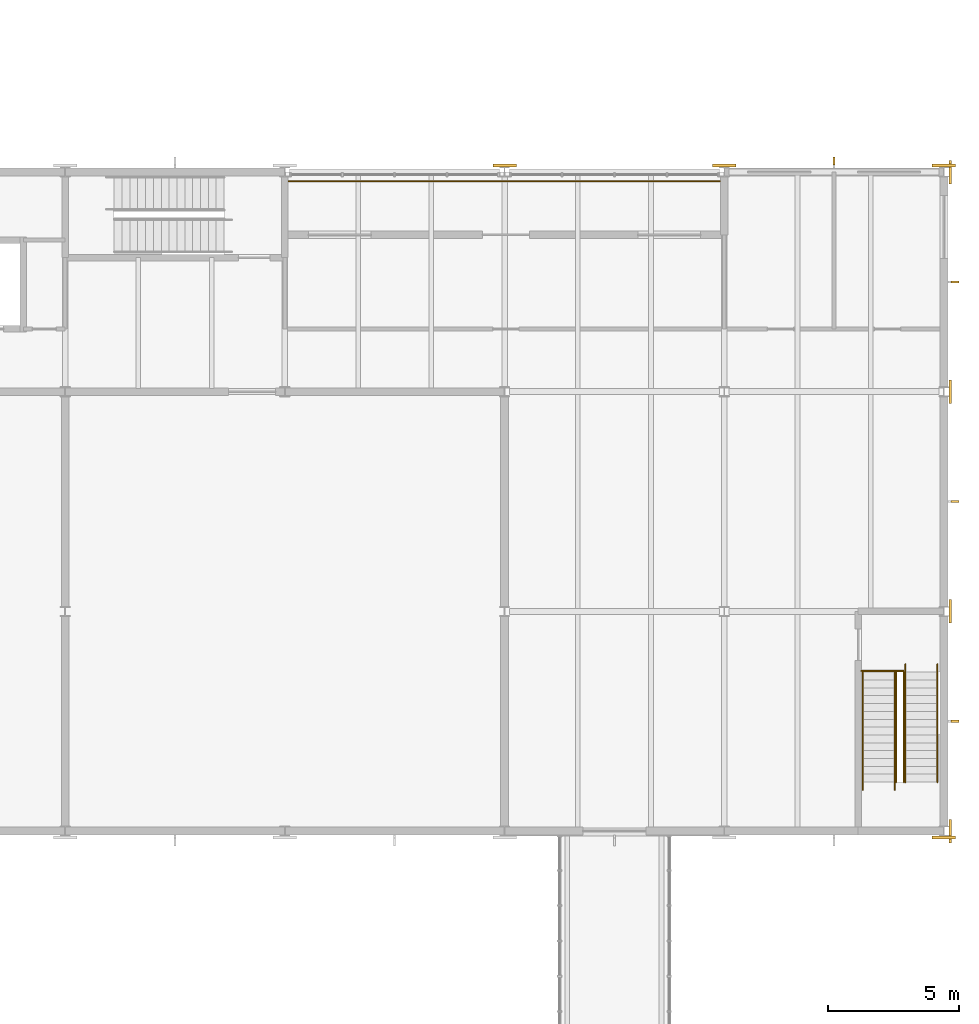
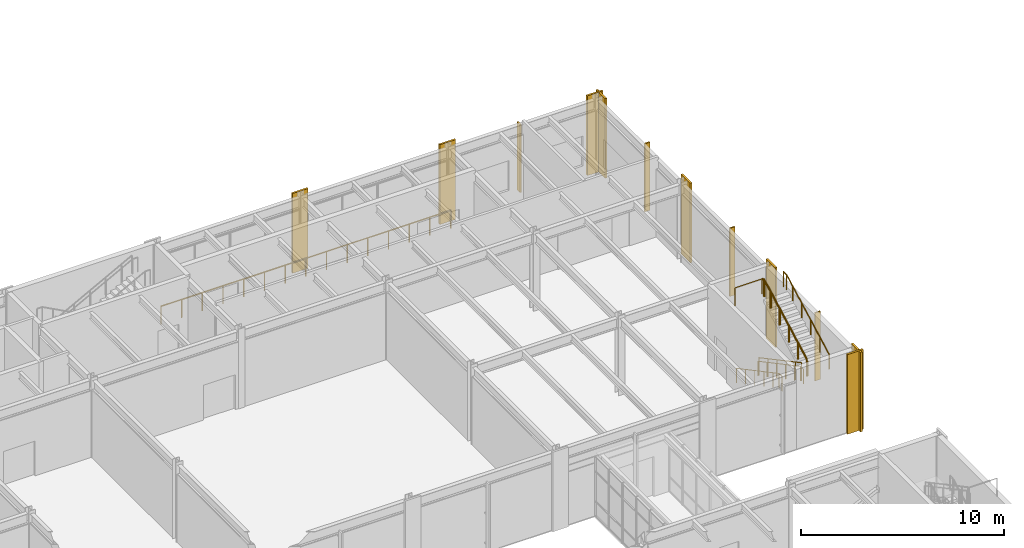
# One storey, part 126 of 127: 8 coverings, 8 railings, 4 shading devices.
"""IFC4 building model written with IfcOpenShell, lengths in metres."""

import ifcopenshell
import ifcopenshell.guid

model = None  # the IFC model being written
_history = None  # IfcOwnerHistory: only IFC2X3 demands one
_inside = {}  # id of a spatial element -> (the spatial element, [elements in it])
_under = {}  # id of a project, library or spatial element -> (it, [spatial elements below it])
_declared = {}  # id of a project -> (the project, [libraries it declares])
_typed = {}  # id of a type object -> (the type object, [elements of that type])
_made_of = {}  # id of a material, layer set ... -> (it, [elements and type objects made of it])


def new_model(schema):
    """Start an empty IFC model of exactly this schema.

    Asked for "IFC4X3", IfcOpenShell would pick the latest addendum, in which some entities
    have other attributes; the version numbers below select the first issue.
    IFC2X3 requires an IfcOwnerHistory on every rooted entity: one is made here for all.
    """
    global model, _history
    if schema == "IFC4X3":
        model = ifcopenshell.file(schema_version=(4, 3, 0, 0))
    else:
        model = ifcopenshell.file(schema=schema)
    _inside.clear()
    _under.clear()
    _declared.clear()
    _typed.clear()
    _made_of.clear()
    _history = None
    if model.schema == "IFC2X3":
        org = make("IfcOrganization", Name="unknown")
        user = make(
            "IfcPersonAndOrganization",
            ThePerson=make("IfcPerson", FamilyName="unknown"),
            TheOrganization=org,
        )
        app = make(
            "IfcApplication",
            ApplicationDeveloper=org,
            Version="unknown",
            ApplicationFullName="unknown",
            ApplicationIdentifier="unknown",
        )
        _history = make(
            "IfcOwnerHistory",
            OwningUser=user,
            OwningApplication=app,
            ChangeAction="ADDED",
            CreationDate=0,
        )
    return model


def make(cls, **values):
    """One entity of the class cls with the attributes given. An attribute that is None is left unset."""
    return model.create_entity(
        cls, **{name: value for name, value in values.items() if value is not None}
    )


def rooted(cls, **values):
    """An entity with a GlobalId (a new one), such as an element, a storey or a relation."""
    return make(cls, GlobalId=ifcopenshell.guid.new(), OwnerHistory=_history, **values)


def si_unit(unit_type, name, prefix=None):
    """IfcSIUnit, for example si_unit("LENGTHUNIT", "METRE", prefix="MILLI")."""
    return make("IfcSIUnit", UnitType=unit_type, Prefix=prefix, Name=name)


def assignment(units):
    """IfcUnitAssignment: the units of a project."""
    return None if units is None else make("IfcUnitAssignment", Units=units)


def point(xyz):
    """IfcCartesianPoint."""
    return None if xyz is None else make("IfcCartesianPoint", Coordinates=xyz)


def direction(xyz):
    """IfcDirection."""
    return None if xyz is None else make("IfcDirection", DirectionRatios=xyz)


def frame(location, z_axis=None, x_axis=None):
    """IfcAxis2Placement3D, a coordinate frame: its origin and axes. An axis left out is left unset."""
    return make(
        "IfcAxis2Placement3D",
        Location=point(location),
        Axis=direction(z_axis),
        RefDirection=direction(x_axis),
    )


def frame_2d(location, x_axis=None):
    """IfcAxis2Placement2D, a coordinate frame in the plane: its origin and x axis."""
    return make(
        "IfcAxis2Placement2D", Location=point(location), RefDirection=direction(x_axis)
    )


def origin():
    """The frame at (0, 0, 0) with its axes left unset."""
    return frame((0.0, 0.0, 0.0))


def origin_2d():
    """The frame at (0, 0) in the plane with its x axis left unset."""
    return frame_2d((0.0, 0.0))


def place(relative_to, where):
    """IfcLocalPlacement: puts the frame where relative to a parent placement (None: the world)."""
    return make(
        "IfcLocalPlacement", PlacementRelTo=relative_to, RelativePlacement=where
    )


def context(
    kind, dimensions, precision=None, world=None, true_north=None, identifier=None
):
    """IfcGeometricRepresentationContext, for example the 3D "Model" context."""
    return make(
        "IfcGeometricRepresentationContext",
        ContextIdentifier=identifier,
        ContextType=kind,
        CoordinateSpaceDimension=dimensions,
        Precision=precision,
        WorldCoordinateSystem=world,
        TrueNorth=true_north,
    )


def subcontext(parent, identifier, kind, view, scale=None):
    """IfcGeometricRepresentationSubContext, for example "Body" below "Model"."""
    return make(
        "IfcGeometricRepresentationSubContext",
        ContextIdentifier=identifier,
        ContextType=kind,
        ParentContext=parent,
        TargetScale=scale,
        TargetView=view,
    )


def project(units=None, contexts=None):
    """IfcProject with its units and contexts."""
    return rooted(
        "IfcProject",
        Name="project",
        RepresentationContexts=contexts,
        UnitsInContext=assignment(units),
    )


def spatial(cls, under=None, at=None, **own):
    """A site, building, storey or space (cls), placed at a placement, below another one or the project."""
    s = rooted(cls, ObjectPlacement=at, **own)
    if under is not None:
        _under.setdefault(under.id(), (under, []))[1].append(s)
    return s


def profile(cls, at=None, kind="AREA", **sizes):
    """A parametric profile (cls). Its sizes go by their IFC names, for example OverallWidth=200.0."""
    return make(cls, ProfileType=kind, Position=at, **sizes)


def rectangle(**sizes):
    """IfcRectangleProfileDef."""
    return profile("IfcRectangleProfileDef", **sizes)


def circle(**sizes):
    """IfcCircleProfileDef."""
    return profile("IfcCircleProfileDef", **sizes)


def extrude(swept, where, along, depth):
    """IfcExtrudedAreaSolid: the profile swept, set in the frame where, extruded along a direction by depth."""
    return make(
        "IfcExtrudedAreaSolid",
        SweptArea=swept,
        Position=where,
        ExtrudedDirection=direction(along),
        Depth=depth,
    )


def shape(context_of_items, identifier, shape_type, items):
    """IfcShapeRepresentation: the items that make up one representation, for example the "Body"."""
    return make(
        "IfcShapeRepresentation",
        ContextOfItems=context_of_items,
        RepresentationIdentifier=identifier,
        RepresentationType=shape_type,
        Items=items,
    )


def material(Name=None, Category=None):
    """IfcMaterial."""
    return make("IfcMaterial", Name=Name, Category=Category)


def layer(
    of_material, thickness, ventilated=None, Name=None, Category=None, Priority=None
):
    """IfcMaterialLayer: one layer of a wall or slab, of a material (None: an air gap)."""
    return make(
        "IfcMaterialLayer",
        Material=of_material,
        LayerThickness=thickness,
        IsVentilated=ventilated,
        Name=Name,
        Category=Category,
        Priority=Priority,
    )


def layer_set(layers, Name=None):
    """IfcMaterialLayerSet."""
    return make("IfcMaterialLayerSet", MaterialLayers=layers, LayerSetName=Name)


def made_of(thing, what):
    """Note that an element or type object is made of a material, layer set ...; save() writes the relation."""
    if what is not None:
        _made_of.setdefault(what.id(), (what, []))[1].append(thing)
    return thing


def type_object(cls, material=None, **own):
    """A type object (cls), such as IfcWallType, which elements share."""
    return made_of(rooted(cls, **own), material)


def element(
    cls,
    number,
    at=None,
    inside=None,
    cuts=None,
    type_object=None,
    material=None,
    context=None,
    identifier="Body",
    shape_type=None,
    held_by="IfcProductDefinitionShape",
    body=None,
    shapes=None,
    **own,
):
    """One element of the class cls, such as IfcWall. Its Tag is "e" and its number.

    at: its placement. inside: the storey or other place that contains it. cuts: it is an
    opening in that element (IfcRelVoidsElement). A single representation is given by context,
    identifier, shape_type and body (its items); several are given by shapes. held_by: the class
    of the entity that holds the representations. save() writes the other relations.
    """
    e = rooted(cls, Tag="e%d" % number, ObjectPlacement=at, **own)
    if body is not None:
        shapes = [shape(context, identifier, shape_type, body)]
    if shapes is not None:
        e.Representation = make(held_by, Representations=shapes)
    if inside is not None:
        _inside.setdefault(inside.id(), (inside, []))[1].append(e)
    if cuts is not None:
        rooted(
            "IfcRelVoidsElement", RelatingBuildingElement=cuts, RelatedOpeningElement=e
        )
    if type_object is not None:
        _typed.setdefault(type_object.id(), (type_object, []))[1].append(e)
    return made_of(e, material)


def aggregate(whole, parts):
    """IfcRelAggregates: a whole, such as a stair, and the parts it consists of."""
    return rooted("IfcRelAggregates", RelatingObject=whole, RelatedObjects=parts)


def save(model, path):
    """Write the relations noted so far, then the file.

    IfcRelAggregates (storeys below a building ...), IfcRelContainedInSpatialStructure (elements
    in a storey), IfcRelDefinesByType, IfcRelAssociatesMaterial and IfcRelDeclares: one each for
    every whole, place, type object, material and project.
    """
    for whole, parts in _under.values():
        aggregate(whole, parts)
    for where, things in _inside.values():
        rooted(
            "IfcRelContainedInSpatialStructure",
            RelatedElements=things,
            RelatingStructure=where,
        )
    for kind, things in _typed.values():
        rooted("IfcRelDefinesByType", RelatedObjects=things, RelatingType=kind)
    for what, things in _made_of.values():
        rooted("IfcRelAssociatesMaterial", RelatedObjects=things, RelatingMaterial=what)
    for by, libraries in _declared.values():
        rooted("IfcRelDeclares", RelatingContext=by, RelatedDefinitions=libraries)
    model.write(path)


model = new_model("IFC4")

# Units and contexts
model_context = context("Model", 3, precision=1e-05, world=origin(), true_north=direction((0.0, 1.0)))
body_context = subcontext(model_context, "Body", "Model", "MODEL_VIEW")
ifc_project = project(units=[si_unit("LENGTHUNIT", "METRE"), si_unit("AREAUNIT", "SQUARE_METRE"), si_unit("VOLUMEUNIT", "CUBIC_METRE"), si_unit("PLANEANGLEUNIT", "RADIAN"), si_unit("MASSUNIT", "GRAM", prefix="KILO")], contexts=[model_context])

# Site, building, storey
site_placement = place(None, origin())
site = spatial("IfcSite", under=ifc_project, at=site_placement, CompositionType="ELEMENT")
building_placement = place(site_placement, origin())
building = spatial("IfcBuilding", under=site, at=building_placement, Name="Ljudholm Concert House", CompositionType="ELEMENT")
storey_placement = place(building_placement, frame((0.0, 0.0, 5.39990234375)))
storey = spatial("IfcBuildingStorey", under=building, at=storey_placement, Name="L01", CompositionType="ELEMENT", Elevation=5.39990234375)

# Shading devices
ifc_material_1 = material(Name="Aluminium extrusion with timber-grain PVDF finish", Category="aluminium")
shading_device_type = type_object("IfcShadingDeviceType", Name="FACADE FIN 300x80", PredefinedType="SHUTTER", material=ifc_material_1)
for number, where, z_axis, x_axis, name in (
    (1, (122.02001953125, 109.0, 0.25), (0.0, 0.0, 1.0), (1.0, 0.0, 0.0), "Facade fin"),
    (2, (122.02001953125, 117.39990234375, 0.25), (0.0, 0.0, 1.0), (1.0, 0.0, 0.0), "Facade fin"),
    (3, (122.02001953125, 125.800048828125, 0.25), (0.0, 0.0, 1.0), (1.0, 0.0, 0.0), "Facade fin"),
    (4, (117.39990234375, 130.419921875, 0.25), (0.0, 0.0, 1.0), (0.0, 1.0, 0.0), "Facade fin"),
):
    element("IfcShadingDevice", number, at=place(storey_placement, frame(where, z_axis=z_axis, x_axis=x_axis)), inside=storey, type_object=shading_device_type, Name=name, PredefinedType="SHUTTER", context=body_context, shape_type="SweptSolid", body=[
        extrude(rectangle(XDim=0.300048828125, YDim=0.080078125, at=origin_2d()), origin(), (0.0, 0.0, 1.0), 4.10009765625),
    ])

# Railings
ifc_material_2 = material(Name="Steel ASTM A36", Category="steel")
railing_type_1 = type_object("IfcRailingType", Name="GUARD 1100", PredefinedType="GUARDRAIL", material=ifc_material_2)
railing_1_placement = place(storey_placement, frame((119.77490234375, 110.875, 0.16015625)))
element("IfcRailing", 5, at=railing_1_placement, inside=storey, type_object=railing_type_1, Name="Guard", PredefinedType="GUARDRAIL", context=body_context, shape_type="SweptSolid", body=[
    extrude(circle(Radius=0.02490234375, at=origin_2d()), frame((0.0, 0.0, 1.0751953125), z_axis=(0.0, -0.88233968818, 0.47061308382), x_axis=(1.0, 0.0, 0.0)), (0.0, 0.0, 1.0), 1.02001953125),
    extrude(circle(Radius=0.02490234375, at=origin_2d()), frame((0.0, -0.89990234375, 1.55517578125), z_axis=(0.0, -0.882392687573, 0.470513703219), x_axis=(1.0, 0.0, 0.0)), (0.0, 0.0, 1.0), 1.02001953125),
    extrude(circle(Radius=0.02490234375, at=origin_2d()), frame((0.0, -1.800048828125, 2.03515625), z_axis=(0.0, -0.88233968818, 0.47061308382), x_axis=(1.0, 0.0, 0.0)), (0.0, 0.0, 1.0), 1.02001953125),
    extrude(circle(Radius=0.02490234375, at=origin_2d()), frame((0.0, -2.699951171875, 2.51513671875), z_axis=(0.0, -0.882392687573, 0.470513703219), x_axis=(1.0, 0.0, 0.0)), (0.0, 0.0, 1.0), 1.02001953125),
    extrude(circle(Radius=0.02490234375, at=origin_2d()), frame((0.0, -3.60009765625, 2.9951171875), z_axis=(0.0, -0.88226346546, 0.470755963866), x_axis=(1.0, 0.0, 0.0)), (0.0, 0.0, 1.0), 0.679931640625),
    extrude(circle(Radius=0.02099609375, at=origin_2d()), origin(), (0.0, 0.0, 1.0), 1.050048828125),
    extrude(circle(Radius=0.02099609375, at=origin_2d()), frame((0.0, -0.89990234375, 0.47998046875)), (0.0, 0.0, 1.0), 1.050048828125),
    extrude(circle(Radius=0.02099609375, at=origin_2d()), frame((0.0, -1.800048828125, 0.9599609375)), (0.0, 0.0, 1.0), 1.050048828125),
    extrude(circle(Radius=0.02099609375, at=origin_2d()), frame((0.0, -2.699951171875, 1.43994140625)), (0.0, 0.0, 1.0), 1.050048828125),
    extrude(circle(Radius=0.02099609375, at=origin_2d()), frame((0.0, -3.60009765625, 1.919921875)), (0.0, 0.0, 1.0), 1.050048828125),
    extrude(circle(Radius=0.02099609375, at=origin_2d()), frame((0.0, -4.199951171875, 2.239990234375)), (0.0, 0.0, 1.0), 1.050048828125),
])
railing_2_placement = place(storey_placement, frame((120.074951171875, 106.675048828125, 2.56005859375)))
element("IfcRailing", 6, at=railing_2_placement, inside=storey, type_object=railing_type_1, Name="Guard", PredefinedType="GUARDRAIL", context=body_context, shape_type="SweptSolid", body=[
    extrude(circle(Radius=0.02490234375, at=origin_2d()), frame((0.0, 0.0, 1.0751953125), z_axis=(0.0, 0.88233968818, 0.47061308382), x_axis=(-1.0, 0.0, 0.0)), (0.0, 0.0, 1.0), 1.02001953125),
    extrude(circle(Radius=0.02490234375, at=origin_2d()), frame((0.0, 0.89990234375, 1.55517578125), z_axis=(0.0, 0.882392687573, 0.470513703219), x_axis=(-1.0, 0.0, 0.0)), (0.0, 0.0, 1.0), 1.02001953125),
    extrude(circle(Radius=0.02490234375, at=origin_2d()), frame((0.0, 1.800048828125, 2.03515625), z_axis=(0.0, 0.88233968818, 0.47061308382), x_axis=(-1.0, 0.0, 0.0)), (0.0, 0.0, 1.0), 1.02001953125),
    extrude(circle(Radius=0.02490234375, at=origin_2d()), frame((0.0, 2.699951171875, 2.51513671875), z_axis=(0.0, 0.88233968818, 0.47061308382), x_axis=(-1.0, 0.0, 0.0)), (0.0, 0.0, 1.0), 1.02001953125),
    extrude(circle(Radius=0.02490234375, at=origin_2d()), frame((0.0, 3.599853515625, 2.9951171875), z_axis=(0.0, 0.882343004153, 0.470606866739), x_axis=(-1.0, 0.0, 0.0)), (0.0, 0.0, 1.0), 0.68017578125),
    extrude(circle(Radius=0.02099609375, at=origin_2d()), origin(), (0.0, 0.0, 1.0), 1.050048828125),
    extrude(circle(Radius=0.02099609375, at=origin_2d()), frame((0.0, 0.89990234375, 0.47998046875)), (0.0, 0.0, 1.0), 1.050048828125),
    extrude(circle(Radius=0.02099609375, at=origin_2d()), frame((0.0, 1.800048828125, 0.9599609375)), (0.0, 0.0, 1.0), 1.050048828125),
    extrude(circle(Radius=0.02099609375, at=origin_2d()), frame((0.0, 2.699951171875, 1.43994140625)), (0.0, 0.0, 1.0), 1.050048828125),
    extrude(circle(Radius=0.02099609375, at=origin_2d()), frame((0.0, 3.599853515625, 1.919921875)), (0.0, 0.0, 1.0), 1.050048828125),
    extrude(circle(Radius=0.02099609375, at=origin_2d()), frame((0.0, 4.199951171875, 2.239990234375)), (0.0, 0.0, 1.0), 1.050048828125),
])
railing_3_placement = place(storey_placement, frame((118.449951171875, 110.925048828125, 4.800048828125)))
element("IfcRailing", 7, at=railing_3_placement, inside=storey, type_object=railing_type_1, Name="Guard", PredefinedType="GUARDRAIL", context=body_context, shape_type="SweptSolid", body=[
    extrude(circle(Radius=0.02490234375, at=origin_2d()), frame((0.0, 0.0, 1.0751953125), z_axis=(1.0, 0.0, 0.0), x_axis=(0.0, 1.0, 0.0)), (0.0, 0.0, 1.0), 1.60009765625),
    extrude(circle(Radius=0.02099609375, at=origin_2d()), origin(), (0.0, 0.0, 1.0), 1.050048828125),
    extrude(circle(Radius=0.02099609375, at=origin_2d()), frame((1.60009765625, 0.0, 0.0)), (0.0, 0.0, 1.0), 1.050048828125),
])
ifc_material_3 = material(Name="Steel ASTM A36", Category="steel")
railing_type_2 = type_object("IfcRailingType", Name="GUARD 1100 EXTERNAL", PredefinedType="GUARDRAIL", material=ifc_material_3)
railing_4_placement = place(storey_placement, frame((96.550048828125, 129.64990234375, 0.0)))
element("IfcRailing", 8, at=railing_4_placement, inside=storey, type_object=railing_type_2, Name="Loggia guard", PredefinedType="GUARDRAIL", context=body_context, shape_type="SweptSolid", body=[
    extrude(circle(Radius=0.02490234375, at=origin_2d()), frame((0.0, 0.0, 1.0751953125), z_axis=(1.0, 0.0, 0.0), x_axis=(0.0, 1.0, 0.0)), (0.0, 0.0, 1.0), 16.5),
    extrude(circle(Radius=0.02099609375, at=origin_2d()), origin(), (0.0, 0.0, 1.0), 1.050048828125),
    extrude(circle(Radius=0.02099609375, at=origin_2d()), frame((1.178466796875, 0.0, 0.0)), (0.0, 0.0, 1.0), 1.050048828125),
    extrude(circle(Radius=0.02099609375, at=origin_2d()), frame((2.357177734375, 0.0, 0.0)), (0.0, 0.0, 1.0), 1.050048828125),
    extrude(circle(Radius=0.02099609375, at=origin_2d()), frame((3.53564453125, 0.0, 0.0)), (0.0, 0.0, 1.0), 1.050048828125),
    extrude(circle(Radius=0.02099609375, at=origin_2d()), frame((4.71435546875, 0.0, 0.0)), (0.0, 0.0, 1.0), 1.050048828125),
    extrude(circle(Radius=0.02099609375, at=origin_2d()), frame((5.892822265625, 0.0, 0.0)), (0.0, 0.0, 1.0), 1.050048828125),
    extrude(circle(Radius=0.02099609375, at=origin_2d()), frame((7.071533203125, 0.0, 0.0)), (0.0, 0.0, 1.0), 1.050048828125),
    extrude(circle(Radius=0.02099609375, at=origin_2d()), frame((8.25, 0.0, 0.0)), (0.0, 0.0, 1.0), 1.050048828125),
    extrude(circle(Radius=0.02099609375, at=origin_2d()), frame((9.428466796875, 0.0, 0.0)), (0.0, 0.0, 1.0), 1.050048828125),
    extrude(circle(Radius=0.02099609375, at=origin_2d()), frame((10.607177734375, 0.0, 0.0)), (0.0, 0.0, 1.0), 1.050048828125),
    extrude(circle(Radius=0.02099609375, at=origin_2d()), frame((11.78564453125, 0.0, 0.0)), (0.0, 0.0, 1.0), 1.050048828125),
    extrude(circle(Radius=0.02099609375, at=origin_2d()), frame((12.96435546875, 0.0, 0.0)), (0.0, 0.0, 1.0), 1.050048828125),
    extrude(circle(Radius=0.02099609375, at=origin_2d()), frame((14.142822265625, 0.0, 0.0)), (0.0, 0.0, 1.0), 1.050048828125),
    extrude(circle(Radius=0.02099609375, at=origin_2d()), frame((15.321533203125, 0.0, 0.0)), (0.0, 0.0, 1.0), 1.050048828125),
    extrude(circle(Radius=0.02099609375, at=origin_2d()), frame((16.5, 0.0, 0.0)), (0.0, 0.0, 1.0), 1.050048828125),
])
ifc_material_4 = material(Name="Steel ASTM A36", Category="steel")
railing_type_3 = type_object("IfcRailingType", Name="HANDRAIL 900", PredefinedType="HANDRAIL", material=ifc_material_4)
railing_5_placement = place(storey_placement, frame((119.72509765625, 110.875, 0.16015625)))
element("IfcRailing", 9, at=railing_5_placement, inside=storey, type_object=railing_type_3, Name="Handrail", PredefinedType="HANDRAIL", context=body_context, shape_type="SweptSolid", body=[
    extrude(circle(Radius=0.0224609375, at=origin_2d()), frame((0.0, 0.0, 0.87744140625), z_axis=(0.0, -0.88233968818, 0.47061308382), x_axis=(1.0, 0.0, 0.0)), (0.0, 0.0, 1.0), 1.02001953125),
    extrude(circle(Radius=0.0224609375, at=origin_2d()), frame((0.0, -0.89990234375, 1.357421875), z_axis=(0.0, -0.882392687573, 0.470513703219), x_axis=(1.0, 0.0, 0.0)), (0.0, 0.0, 1.0), 1.02001953125),
    extrude(circle(Radius=0.0224609375, at=origin_2d()), frame((0.0, -1.800048828125, 1.83740234375), z_axis=(0.0, -0.88233968818, 0.47061308382), x_axis=(1.0, 0.0, 0.0)), (0.0, 0.0, 1.0), 1.02001953125),
    extrude(circle(Radius=0.0224609375, at=origin_2d()), frame((0.0, -2.699951171875, 2.3173828125), z_axis=(0.0, -0.882392687573, 0.470513703219), x_axis=(1.0, 0.0, 0.0)), (0.0, 0.0, 1.0), 1.02001953125),
    extrude(circle(Radius=0.0224609375, at=origin_2d()), frame((0.0, -3.60009765625, 2.79736328125), z_axis=(0.0, -0.88226346546, 0.470755963866), x_axis=(1.0, 0.0, 0.0)), (0.0, 0.0, 1.0), 0.679931640625),
    extrude(circle(Radius=0.0224609375, at=origin_2d()), frame((0.0, -4.199951171875, 3.117431640625), z_axis=(0.0, -1.0, 0.0), x_axis=(1.0, 0.0, 0.0)), (0.0, 0.0, 1.0), 0.300048828125),
    extrude(circle(Radius=0.02099609375, at=origin_2d()), origin(), (0.0, 0.0, 1.0), 0.85498046875),
    extrude(circle(Radius=0.02099609375, at=origin_2d()), frame((0.0, -0.89990234375, 0.47998046875)), (0.0, 0.0, 1.0), 0.85498046875),
    extrude(circle(Radius=0.02099609375, at=origin_2d()), frame((0.0, -1.800048828125, 0.9599609375)), (0.0, 0.0, 1.0), 0.85498046875),
    extrude(circle(Radius=0.02099609375, at=origin_2d()), frame((0.0, -2.699951171875, 1.43994140625)), (0.0, 0.0, 1.0), 0.85498046875),
    extrude(circle(Radius=0.02099609375, at=origin_2d()), frame((0.0, -3.60009765625, 1.919921875)), (0.0, 0.0, 1.0), 0.85498046875),
    extrude(circle(Radius=0.02099609375, at=origin_2d()), frame((0.0, -4.199951171875, 2.239990234375)), (0.0, 0.0, 1.0), 0.85498046875),
    extrude(circle(Radius=0.02099609375, at=origin_2d()), frame((0.0, -4.5, 2.239990234375)), (0.0, 0.0, 1.0), 0.85498046875),
])
railing_6_placement = place(storey_placement, frame((118.5, 110.875, 0.16015625)))
element("IfcRailing", 10, at=railing_6_placement, inside=storey, type_object=railing_type_3, Name="Handrail", PredefinedType="HANDRAIL", context=body_context, shape_type="SweptSolid", body=[
    extrude(circle(Radius=0.0224609375, at=origin_2d()), frame((0.0, 0.0, 0.87744140625), z_axis=(0.0, -0.88233968818, 0.47061308382), x_axis=(1.0, 0.0, 0.0)), (0.0, 0.0, 1.0), 1.02001953125),
    extrude(circle(Radius=0.0224609375, at=origin_2d()), frame((0.0, -0.89990234375, 1.357421875), z_axis=(0.0, -0.882392687573, 0.470513703219), x_axis=(1.0, 0.0, 0.0)), (0.0, 0.0, 1.0), 1.02001953125),
    extrude(circle(Radius=0.0224609375, at=origin_2d()), frame((0.0, -1.800048828125, 1.83740234375), z_axis=(0.0, -0.88233968818, 0.47061308382), x_axis=(1.0, 0.0, 0.0)), (0.0, 0.0, 1.0), 1.02001953125),
    extrude(circle(Radius=0.0224609375, at=origin_2d()), frame((0.0, -2.699951171875, 2.3173828125), z_axis=(0.0, -0.882392687573, 0.470513703219), x_axis=(1.0, 0.0, 0.0)), (0.0, 0.0, 1.0), 1.02001953125),
    extrude(circle(Radius=0.0224609375, at=origin_2d()), frame((0.0, -3.60009765625, 2.79736328125), z_axis=(0.0, -0.88226346546, 0.470755963866), x_axis=(1.0, 0.0, 0.0)), (0.0, 0.0, 1.0), 0.679931640625),
    extrude(circle(Radius=0.0224609375, at=origin_2d()), frame((0.0, -4.199951171875, 3.117431640625), z_axis=(0.0, -1.0, 0.0), x_axis=(1.0, 0.0, 0.0)), (0.0, 0.0, 1.0), 0.300048828125),
    extrude(circle(Radius=0.02099609375, at=origin_2d()), origin(), (0.0, 0.0, 1.0), 0.85498046875),
    extrude(circle(Radius=0.02099609375, at=origin_2d()), frame((0.0, -0.89990234375, 0.47998046875)), (0.0, 0.0, 1.0), 0.85498046875),
    extrude(circle(Radius=0.02099609375, at=origin_2d()), frame((0.0, -1.800048828125, 0.9599609375)), (0.0, 0.0, 1.0), 0.85498046875),
    extrude(circle(Radius=0.02099609375, at=origin_2d()), frame((0.0, -2.699951171875, 1.43994140625)), (0.0, 0.0, 1.0), 0.85498046875),
    extrude(circle(Radius=0.02099609375, at=origin_2d()), frame((0.0, -3.60009765625, 1.919921875)), (0.0, 0.0, 1.0), 0.85498046875),
    extrude(circle(Radius=0.02099609375, at=origin_2d()), frame((0.0, -4.199951171875, 2.239990234375)), (0.0, 0.0, 1.0), 0.85498046875),
    extrude(circle(Radius=0.02099609375, at=origin_2d()), frame((0.0, -4.5, 2.239990234375)), (0.0, 0.0, 1.0), 0.85498046875),
])
railing_7_placement = place(storey_placement, frame((120.125, 106.675048828125, 2.56005859375)))
element("IfcRailing", 11, at=railing_7_placement, inside=storey, type_object=railing_type_3, Name="Handrail", PredefinedType="HANDRAIL", context=body_context, shape_type="SweptSolid", body=[
    extrude(circle(Radius=0.0224609375, at=origin_2d()), frame((0.0, 0.0, 0.87744140625), z_axis=(0.0, 0.88233968818, 0.47061308382), x_axis=(-1.0, 0.0, 0.0)), (0.0, 0.0, 1.0), 1.02001953125),
    extrude(circle(Radius=0.0224609375, at=origin_2d()), frame((0.0, 0.89990234375, 1.357421875), z_axis=(0.0, 0.882392687573, 0.470513703219), x_axis=(-1.0, 0.0, 0.0)), (0.0, 0.0, 1.0), 1.02001953125),
    extrude(circle(Radius=0.0224609375, at=origin_2d()), frame((0.0, 1.800048828125, 1.83740234375), z_axis=(0.0, 0.88233968818, 0.47061308382), x_axis=(-1.0, 0.0, 0.0)), (0.0, 0.0, 1.0), 1.02001953125),
    extrude(circle(Radius=0.0224609375, at=origin_2d()), frame((0.0, 2.699951171875, 2.3173828125), z_axis=(0.0, 0.88233968818, 0.47061308382), x_axis=(-1.0, 0.0, 0.0)), (0.0, 0.0, 1.0), 1.02001953125),
    extrude(circle(Radius=0.0224609375, at=origin_2d()), frame((0.0, 3.599853515625, 2.79736328125), z_axis=(0.0, 0.882343004153, 0.470606866739), x_axis=(-1.0, 0.0, 0.0)), (0.0, 0.0, 1.0), 0.68017578125),
    extrude(circle(Radius=0.0224609375, at=origin_2d()), frame((0.0, 4.199951171875, 3.117431640625), z_axis=(0.0, 1.0, 0.0), x_axis=(-1.0, 0.0, 0.0)), (0.0, 0.0, 1.0), 0.300048828125),
    extrude(circle(Radius=0.02099609375, at=origin_2d()), origin(), (0.0, 0.0, 1.0), 0.85498046875),
    extrude(circle(Radius=0.02099609375, at=origin_2d()), frame((0.0, 0.89990234375, 0.47998046875)), (0.0, 0.0, 1.0), 0.85498046875),
    extrude(circle(Radius=0.02099609375, at=origin_2d()), frame((0.0, 1.800048828125, 0.9599609375)), (0.0, 0.0, 1.0), 0.85498046875),
    extrude(circle(Radius=0.02099609375, at=origin_2d()), frame((0.0, 2.699951171875, 1.43994140625)), (0.0, 0.0, 1.0), 0.85498046875),
    extrude(circle(Radius=0.02099609375, at=origin_2d()), frame((0.0, 3.599853515625, 1.919921875)), (0.0, 0.0, 1.0), 0.85498046875),
    extrude(circle(Radius=0.02099609375, at=origin_2d()), frame((0.0, 4.199951171875, 2.239990234375)), (0.0, 0.0, 1.0), 0.85498046875),
    extrude(circle(Radius=0.02099609375, at=origin_2d()), frame((0.0, 4.5, 2.239990234375)), (0.0, 0.0, 1.0), 0.85498046875),
])
railing_8_placement = place(storey_placement, frame((121.35009765625, 106.675048828125, 2.56005859375)))
element("IfcRailing", 12, at=railing_8_placement, inside=storey, type_object=railing_type_3, Name="Handrail", PredefinedType="HANDRAIL", context=body_context, shape_type="SweptSolid", body=[
    extrude(circle(Radius=0.0224609375, at=origin_2d()), frame((0.0, 0.0, 0.87744140625), z_axis=(0.0, 0.88233968818, 0.47061308382), x_axis=(-1.0, 0.0, 0.0)), (0.0, 0.0, 1.0), 1.02001953125),
    extrude(circle(Radius=0.0224609375, at=origin_2d()), frame((0.0, 0.89990234375, 1.357421875), z_axis=(0.0, 0.882392687573, 0.470513703219), x_axis=(-1.0, 0.0, 0.0)), (0.0, 0.0, 1.0), 1.02001953125),
    extrude(circle(Radius=0.0224609375, at=origin_2d()), frame((0.0, 1.800048828125, 1.83740234375), z_axis=(0.0, 0.88233968818, 0.47061308382), x_axis=(-1.0, 0.0, 0.0)), (0.0, 0.0, 1.0), 1.02001953125),
    extrude(circle(Radius=0.0224609375, at=origin_2d()), frame((0.0, 2.699951171875, 2.3173828125), z_axis=(0.0, 0.88233968818, 0.47061308382), x_axis=(-1.0, 0.0, 0.0)), (0.0, 0.0, 1.0), 1.02001953125),
    extrude(circle(Radius=0.0224609375, at=origin_2d()), frame((0.0, 3.599853515625, 2.79736328125), z_axis=(0.0, 0.882343004153, 0.470606866739), x_axis=(-1.0, 0.0, 0.0)), (0.0, 0.0, 1.0), 0.68017578125),
    extrude(circle(Radius=0.0224609375, at=origin_2d()), frame((0.0, 4.199951171875, 3.117431640625), z_axis=(0.0, 1.0, 0.0), x_axis=(-1.0, 0.0, 0.0)), (0.0, 0.0, 1.0), 0.300048828125),
    extrude(circle(Radius=0.02099609375, at=origin_2d()), origin(), (0.0, 0.0, 1.0), 0.85498046875),
    extrude(circle(Radius=0.02099609375, at=origin_2d()), frame((0.0, 0.89990234375, 0.47998046875)), (0.0, 0.0, 1.0), 0.85498046875),
    extrude(circle(Radius=0.02099609375, at=origin_2d()), frame((0.0, 1.800048828125, 0.9599609375)), (0.0, 0.0, 1.0), 0.85498046875),
    extrude(circle(Radius=0.02099609375, at=origin_2d()), frame((0.0, 2.699951171875, 1.43994140625)), (0.0, 0.0, 1.0), 0.85498046875),
    extrude(circle(Radius=0.02099609375, at=origin_2d()), frame((0.0, 3.599853515625, 1.919921875)), (0.0, 0.0, 1.0), 0.85498046875),
    extrude(circle(Radius=0.02099609375, at=origin_2d()), frame((0.0, 4.199951171875, 2.239990234375)), (0.0, 0.0, 1.0), 0.85498046875),
    extrude(circle(Radius=0.02099609375, at=origin_2d()), frame((0.0, 4.5, 2.239990234375)), (0.0, 0.0, 1.0), 0.85498046875),
])

# Coverings
ifc_material_5 = material(Name="Precast concrete, limestone aggregate", Category="masonry")
ifc_layer = layer(ifc_material_5, 0.110107421875)
ifc_layer_set = layer_set([ifc_layer], Name="Precast concrete, limestone aggregate")
covering_type = type_object("IfcCoveringType", Name="PRECAST CONCRETE, LIMESTONE AGGREGATE CLADDING 110", PredefinedType="CLADDING", material=ifc_layer_set)
for number, where, z_axis, x_axis, name in (
    (13, (121.844970703125, 104.800048828125, 0.0), (0.0, 0.0, 1.0), (1.0, 0.0, 0.0), "Pilaster cladding"),
    (14, (121.844970703125, 113.199951171875, 0.0), (0.0, 0.0, 1.0), (1.0, 0.0, 0.0), "Pilaster cladding"),
    (15, (121.844970703125, 121.60009765625, 0.0), (0.0, 0.0, 1.0), (1.0, 0.0, 0.0), "Pilaster cladding"),
    (16, (121.844970703125, 130.0, 0.0), (0.0, 0.0, 1.0), (1.0, 0.0, 0.0), "Pilaster cladding"),
    (17, (104.800048828125, 130.2451171875, 0.0), (0.0, 0.0, 1.0), (0.0, 1.0, 0.0), "Pilaster cladding"),
    (18, (113.199951171875, 130.2451171875, 0.0), (0.0, 0.0, 1.0), (0.0, 1.0, 0.0), "Pilaster cladding"),
    (19, (121.60009765625, 130.2451171875, 0.0), (0.0, 0.0, 1.0), (0.0, 1.0, 0.0), "Pilaster cladding"),
    (20, (121.60009765625, 104.554931640625, 0.0), (0.0, 0.0, 1.0), (0.0, -1.0, 0.0), "Pilaster cladding"),
):
    element("IfcCovering", number, at=place(storey_placement, frame(where, z_axis=z_axis, x_axis=x_axis)), inside=storey, type_object=covering_type, Name=name, PredefinedType="CLADDING", context=body_context, shape_type="SweptSolid", body=[
        extrude(rectangle(XDim=0.110107421875, YDim=0.89990234375, at=origin_2d()), origin(), (0.0, 0.0, 1.0), 4.800048828125),
    ])

save(model, "model.ifc")
